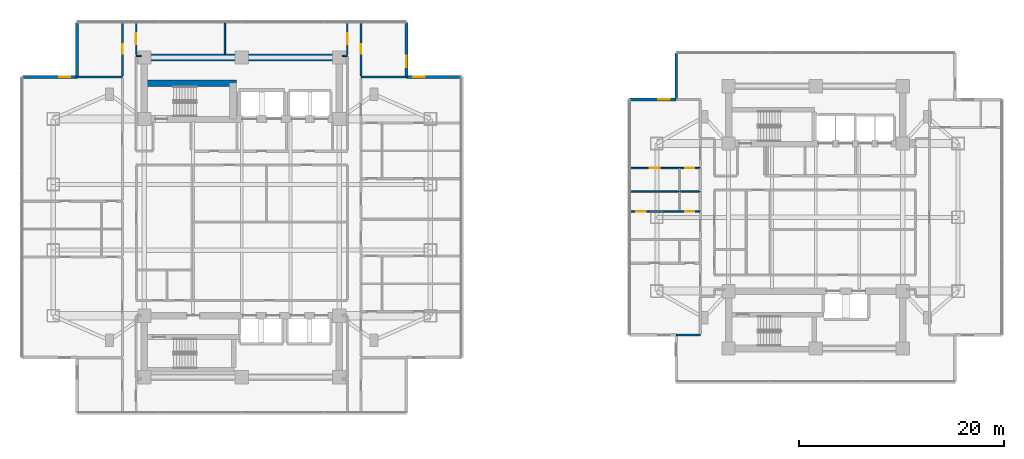
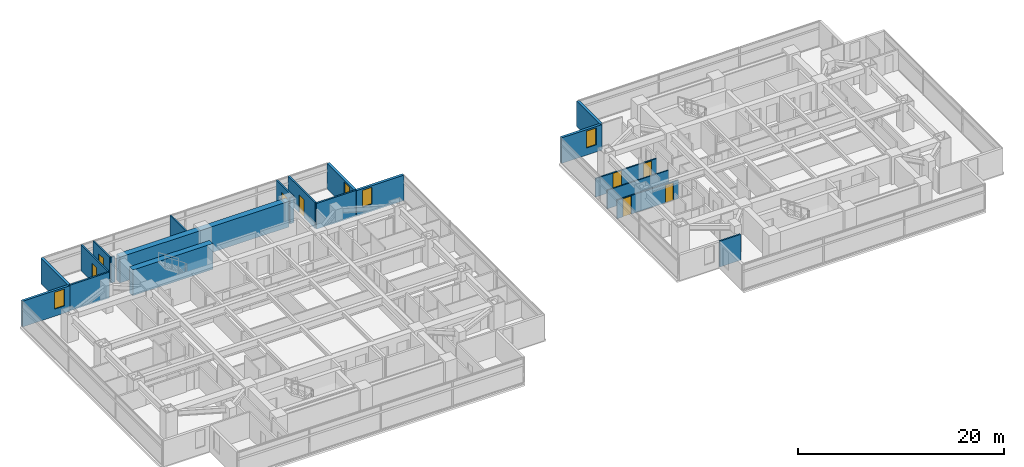
# One storey, part 15 of 24: 21 walls, 8 doors, 4 windows, 12 openings.
"""IFC4 building model written with IfcOpenShell, lengths in metres."""

from ifc_helpers import new_model, si_unit, direction, frame, frame_2d, origin, place, context, subcontext, project, spatial, rectangle, extrude, material, layer, layer_set, type_object, element, fill, save


model = new_model("IFC4")

# Units and contexts
model_context = context("Model", 3, precision=1e-05, world=origin(), true_north=direction((0.0, 1.0)))
body_context = subcontext(model_context, "Body", "Model", "MODEL_VIEW")
ifc_project = project(units=[si_unit("LENGTHUNIT", "METRE"), si_unit("AREAUNIT", "SQUARE_METRE"), si_unit("VOLUMEUNIT", "CUBIC_METRE"), si_unit("PLANEANGLEUNIT", "RADIAN"), si_unit("MASSUNIT", "GRAM", prefix="KILO")], contexts=[model_context])

# Site, building, storey
site_placement = place(None, origin())
site = spatial("IfcSite", under=ifc_project, at=site_placement, CompositionType="ELEMENT")
building_placement = place(site_placement, origin())
building = spatial("IfcBuilding", under=site, at=building_placement, Name="Mirazonda Arch Towers", CompositionType="ELEMENT")
storey_placement = place(building_placement, frame((0.0, 0.0, 62.0)))
storey = spatial("IfcBuildingStorey", under=building, at=storey_placement, Name="L17", CompositionType="ELEMENT", Elevation=62.0)

# Walls
ifc_material_1 = material(Name="Concrete C60/75", Category="concrete")
ifc_layer_1 = layer(ifc_material_1, 0.64990234375, Name="WALL-CORE-650")
ifc_layer_set_1 = layer_set([ifc_layer_1], Name="Concrete C60/75")
wall_type_1 = type_object("IfcWallType", Name="WALL-CORE-650", PredefinedType="SHEAR", material=ifc_layer_set_1)
wall_1_placement = place(storey_placement, frame((11.0, 43.60009765625, 0.0), z_axis=(0.0, 0.0, 1.0), x_axis=(1.0, 0.0, 0.0)))
element("IfcWall", 1, at=wall_1_placement, inside=storey, type_object=wall_type_1, Name="L17 T1N-N Core Shear Wall", PredefinedType="SHEAR", context=body_context, shape_type="SweptSolid", body=[
    extrude(rectangle(XDim=19.0, YDim=0.64990234375, at=frame_2d((9.5, 0.0))), origin(), (0.0, 0.0, 1.0), 3.06005859375),
])
wall_2_placement = place(storey_placement, frame((11.0, 41.093017578125, 0.0), z_axis=(0.0, 0.0, 1.0), x_axis=(1.0, 0.0, 0.0)))
element("IfcWall", 2, at=wall_2_placement, inside=storey, type_object=wall_type_1, Name="L17 T1N-STN Core Shear Wall", PredefinedType="SHEAR", context=body_context, shape_type="SweptSolid", body=[
    extrude(rectangle(XDim=9.0, YDim=0.64990234375, at=frame_2d((4.5, 0.0))), origin(), (0.0, 0.0, 1.0), 3.06005859375),
])

# Wall, opening, window
ifc_material_2 = material(Name="Precast Concrete C40/50", Category="concrete")
ifc_layer_2 = layer(ifc_material_2, 0.280029296875, Name="WALL-EXT-WALL-280")
ifc_layer_set_2 = layer_set([ifc_layer_2], Name="Precast Concrete C40/50")
wall_type_2 = type_object("IfcWallType", Name="WALL-EXT-WALL-280", PredefinedType="SOLIDWALL", material=ifc_layer_set_2)
wall_3_placement = place(storey_placement, frame((36.580078125, 41.694091796875, 0.0), z_axis=(0.0, 0.0, 1.0), x_axis=(0.0, 1.0, 0.0)))
wall_3 = element("IfcWall", 3, at=wall_3_placement, inside=storey, type_object=wall_type_2, Name="L17 T1 Notched NE Corner Wall WL-L17-T1-CNE", PredefinedType="SOLIDWALL", context=body_context, shape_type="SweptSolid", body=[
    extrude(rectangle(XDim=5.33984375, YDim=0.280029296875, at=frame_2d((2.669921875, 0.0))), origin(), (0.0, 0.0, 1.0), 3.0400390625),
])
opening_1_placement = place(wall_3_placement, frame((0.949951171875, 0.0, 0.85009765625)))
opening_1 = element("IfcOpeningElement", 4, at=opening_1_placement, cuts=wall_3, Name="Opening WN-108", PredefinedType="OPENING", context=body_context, shape_type="SweptSolid", body=[
    extrude(rectangle(XDim=1.10009765625, YDim=2.0, at=frame_2d((0.550048828125, 1.0))), frame((0.0, 0.14990234375, 0.0), z_axis=(0.0, -1.0, 0.0), x_axis=(1.0, 0.0, 0.0)), (0.0, 0.0, 1.0), 0.300048828125),
])
ifc_material_3 = material(Name="Insulated Low-E Solar Glass", Category="glass")
window_type = type_object("IfcWindowType", Name="WIN-NOTCH-1100x2000", PartitioningType="SINGLE_PANEL", PredefinedType="WINDOW", material=ifc_material_3)
window_1_placement = place(opening_1_placement, origin())
window_1 = element("IfcWindow", 5, at=window_1_placement, inside=storey, type_object=window_type, Name="L17 Punched Facade Window WN-L17-T1-CNE", OverallHeight=2.0, OverallWidth=1.10009765625, PartitioningType="SINGLE_PANEL", PredefinedType="WINDOW", context=body_context, shape_type="SweptSolid", body=[
    extrude(rectangle(XDim=1.10009765625, YDim=2.0, at=frame_2d((0.550048828125, 1.0))), frame((0.0, 0.030029296875, 0.0), z_axis=(0.0, -1.0, 0.0), x_axis=(1.0, 0.0, 0.0)), (0.0, 0.0, 1.0), 0.06005859375),
])
fill(opening_1, window_1)

wall_4_placement = place(storey_placement, frame((4.419921875, 41.694091796875, 0.0), z_axis=(0.0, 0.0, 1.0), x_axis=(-1.0, 0.0, 0.0)))
wall_4 = element("IfcWall", 6, at=wall_4_placement, inside=storey, type_object=wall_type_2, Name="L17 T1 Corner Notch Return Wall WL-L17-T1-CNW1", PredefinedType="SOLIDWALL", context=body_context, shape_type="SweptSolid", body=[
    extrude(rectangle(XDim=5.33984375, YDim=0.280029296875, at=frame_2d((2.669921875, 0.0))), origin(), (0.0, 0.0, 1.0), 3.0400390625),
])
opening_2_placement = place(wall_4_placement, frame((0.64990234375, 0.0, 0.85009765625)))
opening_2 = element("IfcOpeningElement", 7, at=opening_2_placement, cuts=wall_4, Name="Opening WN-108", PredefinedType="OPENING", context=body_context, shape_type="SweptSolid", body=[
    extrude(rectangle(XDim=1.10009765625, YDim=2.0, at=frame_2d((0.550048828125, 1.0))), frame((0.0, 0.14990234375, 0.0), z_axis=(0.0, -1.0, 0.0), x_axis=(1.0, 0.0, 0.0)), (0.0, 0.0, 1.0), 0.300048828125),
])
window_2_placement = place(opening_2_placement, origin())
window_2 = element("IfcWindow", 8, at=window_2_placement, inside=storey, type_object=window_type, Name="L17 Punched Facade Window WN-L17-T1-CNW1", OverallHeight=2.0, OverallWidth=1.10009765625, PartitioningType="SINGLE_PANEL", PredefinedType="WINDOW", context=body_context, shape_type="SweptSolid", body=[
    extrude(rectangle(XDim=1.10009765625, YDim=2.0, at=frame_2d((0.550048828125, 1.0))), frame((0.0, 0.030029296875, 0.0), z_axis=(0.0, -1.0, 0.0), x_axis=(1.0, 0.0, 0.0)), (0.0, 0.0, 1.0), 0.06005859375),
])
fill(opening_2, window_2)

# Wall
wall_5_placement = place(storey_placement, frame((4.419921875, 47.033935546875, 0.0), z_axis=(0.0, 0.0, 1.0), x_axis=(0.0, -1.0, 0.0)))
element("IfcWall", 9, at=wall_5_placement, inside=storey, type_object=wall_type_2, Name="L17 T1 Corner Notch Return Wall WL-L17-T1-CNW2", PredefinedType="SOLIDWALL", context=body_context, shape_type="SweptSolid", body=[
    extrude(rectangle(XDim=5.33984375, YDim=0.280029296875, at=frame_2d((2.669921875, 0.0))), origin(), (0.0, 0.0, 1.0), 3.0400390625),
])

# Wall, opening, window
wall_6_placement = place(storey_placement, frame((41.919921875, 41.694091796875, 0.0), z_axis=(0.0, 0.0, 1.0), x_axis=(-1.0, 0.0, 0.0)))
wall_6 = element("IfcWall", 10, at=wall_6_placement, inside=storey, type_object=wall_type_2, Name="L17 T1 Corner Notch Return Wall WL-L17-T1-CNE2", PredefinedType="SOLIDWALL", context=body_context, shape_type="SweptSolid", body=[
    extrude(rectangle(XDim=5.33984375, YDim=0.280029296875, at=frame_2d((2.669921875, 0.0))), origin(), (0.0, 0.0, 1.0), 3.0400390625),
])
opening_3_placement = place(wall_6_placement, frame((3.590087890625, 0.0, 0.85009765625)))
opening_3 = element("IfcOpeningElement", 11, at=opening_3_placement, cuts=wall_6, Name="Opening WN-108", PredefinedType="OPENING", context=body_context, shape_type="SweptSolid", body=[
    extrude(rectangle(XDim=1.10009765625, YDim=2.0, at=frame_2d((0.550048828125, 1.0))), frame((0.0, 0.14990234375, 0.0), z_axis=(0.0, -1.0, 0.0), x_axis=(1.0, 0.0, 0.0)), (0.0, 0.0, 1.0), 0.300048828125),
])
window_3_placement = place(opening_3_placement, origin())
window_3 = element("IfcWindow", 12, at=window_3_placement, inside=storey, type_object=window_type, Name="L17 Punched Facade Window WN-L17-T1-CNE2", OverallHeight=2.0, OverallWidth=1.10009765625, PartitioningType="SINGLE_PANEL", PredefinedType="WINDOW", context=body_context, shape_type="SweptSolid", body=[
    extrude(rectangle(XDim=1.10009765625, YDim=2.0, at=frame_2d((0.550048828125, 1.0))), frame((0.0, 0.030029296875, 0.0), z_axis=(0.0, -1.0, 0.0), x_axis=(1.0, 0.0, 0.0)), (0.0, 0.0, 1.0), 0.06005859375),
])
fill(opening_3, window_3)

wall_7_placement = place(storey_placement, frame((62.89208984375, 39.47998046875, 0.0), z_axis=(0.0, 0.0, 1.0), x_axis=(-1.0, 0.0, 0.0)))
wall_7 = element("IfcWall", 13, at=wall_7_placement, inside=storey, type_object=wall_type_2, Name="L17 T2 Corner Notch Return Wall WL-L17-T2-CNW1", PredefinedType="SOLIDWALL", context=body_context, shape_type="SweptSolid", body=[
    extrude(rectangle(XDim=4.546142578125, YDim=0.280029296875, at=frame_2d((2.27294921875, 0.0))), origin(), (0.0, 0.0, 1.0), 3.0400390625),
])
opening_4_placement = place(wall_7_placement, frame((0.64990234375, 0.0, 0.85009765625)))
opening_4 = element("IfcOpeningElement", 14, at=opening_4_placement, cuts=wall_7, Name="Opening WN-108", PredefinedType="OPENING", context=body_context, shape_type="SweptSolid", body=[
    extrude(rectangle(XDim=1.10009765625, YDim=2.0, at=frame_2d((0.550048828125, 1.0))), frame((0.0, 0.14990234375, 0.0), z_axis=(0.0, -1.0, 0.0), x_axis=(1.0, 0.0, 0.0)), (0.0, 0.0, 1.0), 0.300048828125),
])
window_4_placement = place(opening_4_placement, origin())
window_4 = element("IfcWindow", 15, at=window_4_placement, inside=storey, type_object=window_type, Name="L17 Punched Facade Window WN-L17-T2-CNW1", OverallHeight=2.0, OverallWidth=1.10009765625, PartitioningType="SINGLE_PANEL", PredefinedType="WINDOW", context=body_context, shape_type="SweptSolid", body=[
    extrude(rectangle(XDim=1.10009765625, YDim=2.0, at=frame_2d((0.550048828125, 1.0))), frame((0.0, 0.030029296875, 0.0), z_axis=(0.0, -1.0, 0.0), x_axis=(1.0, 0.0, 0.0)), (0.0, 0.0, 1.0), 0.06005859375),
])
fill(opening_4, window_4)

# Wall
wall_8_placement = place(storey_placement, frame((62.89208984375, 44.02587890625, 0.0), z_axis=(0.0, 0.0, 1.0), x_axis=(0.0, -1.0, 0.0)))
element("IfcWall", 16, at=wall_8_placement, inside=storey, type_object=wall_type_2, Name="L17 T2 Corner Notch Return Wall WL-L17-T2-CNW2", PredefinedType="SOLIDWALL", context=body_context, shape_type="SweptSolid", body=[
    extrude(rectangle(XDim=4.5458984375, YDim=0.280029296875, at=frame_2d((2.27294921875, 0.0))), origin(), (0.0, 0.0, 1.0), 3.0400390625),
])

# Wall, openings, doors
ifc_material_4 = material(Name="Fire-Rated Gypsum Stud Partition")
ifc_layer_3 = layer(ifc_material_4, 0.14990234375, Name="WALL-PART-CORR-150")
ifc_layer_set_3 = layer_set([ifc_layer_3], Name="Fire-Rated Gypsum Stud Partition")
wall_type_3 = type_object("IfcWallType", Name="WALL-PART-CORR-150", PredefinedType="PARTITIONING", material=ifc_layer_set_3)
wall_9_placement = place(storey_placement, frame((58.345947265625, 28.587890625, 0.0), z_axis=(0.0, 0.0, 1.0), x_axis=(1.0, 0.0, 0.0)))
wall_9 = element("IfcWall", 17, at=wall_9_placement, inside=storey, type_object=wall_type_3, Name="L17 Interior Partition 033", PredefinedType="PARTITIONING", context=body_context, shape_type="SweptSolid", body=[
    extrude(rectangle(XDim=6.904052734375, YDim=0.14990234375, at=frame_2d((3.4521484375, 0.0))), origin(), (0.0, 0.0, 1.0), 2.196044921875),
])
opening_5_placement = place(wall_9_placement, frame((0.626953125, 0.0, 0.0)))
opening_5 = element("IfcOpeningElement", 18, at=opening_5_placement, cuts=wall_9, Name="Opening DR-104", PredefinedType="OPENING", context=body_context, shape_type="SweptSolid", body=[
    extrude(rectangle(XDim=0.949951171875, YDim=2.14990234375, at=frame_2d((0.47509765625, 1.074951171875))), frame((0.0, 0.0849609375, 0.0), z_axis=(0.0, -1.0, 0.0), x_axis=(1.0, 0.0, 0.0)), (0.0, 0.0, 1.0), 0.169921875),
])
opening_6_placement = place(wall_9_placement, frame((5.4140625, 0.0, 0.0)))
opening_6 = element("IfcOpeningElement", 19, at=opening_6_placement, cuts=wall_9, Name="Opening DR-120", PredefinedType="OPENING", context=body_context, shape_type="SweptSolid", body=[
    extrude(rectangle(XDim=0.89990234375, YDim=2.10009765625, at=frame_2d((0.449951171875, 1.050048828125))), frame((0.0, 0.0849609375, 0.0), z_axis=(0.0, -1.0, 0.0), x_axis=(1.0, 0.0, 0.0)), (0.0, 0.0, 1.0), 0.169921875),
])
ifc_material_5 = material(Name="Architectural Brushed Steel S355", Category="steel")
door_type_1 = type_object("IfcDoorType", Name="DOOR-ROOM-950", OperationType="NOTDEFINED", PredefinedType="DOOR", material=ifc_material_5)
door_1_placement = place(opening_5_placement, origin())
door_1 = element("IfcDoor", 20, at=door_1_placement, inside=storey, type_object=door_type_1, Name="L17 Guestroom Study 2 Door", OperationType="SINGLE_SWING_RIGHT", OverallHeight=2.14990234375, OverallWidth=0.949951171875, PredefinedType="DOOR", context=body_context, shape_type="SweptSolid", body=[
    extrude(rectangle(XDim=0.949951171875, YDim=2.14990234375, at=frame_2d((0.47509765625, 1.074951171875))), frame((0.0, 0.02490234375, 0.0), z_axis=(0.0, -1.0, 0.0), x_axis=(1.0, 0.0, 0.0)), (0.0, 0.0, 1.0), 0.050048828125),
])
fill(opening_5, door_1)
door_type_2 = type_object("IfcDoorType", Name="DOOR-WC-900", OperationType="NOTDEFINED", PredefinedType="DOOR", material=ifc_material_5)
door_2_placement = place(opening_6_placement, origin())
door_2 = element("IfcDoor", 21, at=door_2_placement, inside=storey, type_object=door_type_2, Name="L17 En-Suite Bathroom 2 Door", OperationType="SINGLE_SWING_LEFT", OverallHeight=2.10009765625, OverallWidth=0.89990234375, PredefinedType="DOOR", context=body_context, shape_type="SweptSolid", body=[
    extrude(rectangle(XDim=0.89990234375, YDim=2.10009765625, at=frame_2d((0.449951171875, 1.050048828125))), frame((0.0, 0.02490234375, 0.0), z_axis=(0.0, -1.0, 0.0), x_axis=(1.0, 0.0, 0.0)), (0.0, 0.0, 1.0), 0.050048828125),
])
fill(opening_6, door_2)

wall_10_placement = place(storey_placement, frame((58.345947265625, 32.80810546875, 0.0), z_axis=(0.0, 0.0, 1.0), x_axis=(1.0, 0.0, 0.0)))
wall_10 = element("IfcWall", 22, at=wall_10_placement, inside=storey, type_object=wall_type_3, Name="L17 Interior Partition 040", PredefinedType="PARTITIONING", context=body_context, shape_type="SweptSolid", body=[
    extrude(rectangle(XDim=6.904052734375, YDim=0.14990234375, at=frame_2d((3.4521484375, 0.0))), origin(), (0.0, 0.0, 1.0), 2.196044921875),
])
opening_7_placement = place(wall_10_placement, frame((1.97705078125, 0.0, 0.0)))
opening_7 = element("IfcOpeningElement", 23, at=opening_7_placement, cuts=wall_10, Name="Opening DR-104", PredefinedType="OPENING", context=body_context, shape_type="SweptSolid", body=[
    extrude(rectangle(XDim=0.949951171875, YDim=2.14990234375, at=frame_2d((0.47509765625, 1.074951171875))), frame((0.0, 0.0849609375, 0.0), z_axis=(0.0, -1.0, 0.0), x_axis=(1.0, 0.0, 0.0)), (0.0, 0.0, 1.0), 0.169921875),
])
opening_8_placement = place(wall_10_placement, frame((5.4140625, 0.0, 0.0)))
opening_8 = element("IfcOpeningElement", 24, at=opening_8_placement, cuts=wall_10, Name="Opening DR-120", PredefinedType="OPENING", context=body_context, shape_type="SweptSolid", body=[
    extrude(rectangle(XDim=0.89990234375, YDim=2.10009765625, at=frame_2d((0.449951171875, 1.050048828125))), frame((0.0, 0.0849609375, 0.0), z_axis=(0.0, -1.0, 0.0), x_axis=(1.0, 0.0, 0.0)), (0.0, 0.0, 1.0), 0.169921875),
])
door_3_placement = place(opening_7_placement, origin())
door_3 = element("IfcDoor", 25, at=door_3_placement, inside=storey, type_object=door_type_1, Name="L17 Guestroom Study 3 Door", OperationType="SINGLE_SWING_LEFT", OverallHeight=2.14990234375, OverallWidth=0.949951171875, PredefinedType="DOOR", context=body_context, shape_type="SweptSolid", body=[
    extrude(rectangle(XDim=0.949951171875, YDim=2.14990234375, at=frame_2d((0.47509765625, 1.074951171875))), frame((0.0, 0.02490234375, 0.0), z_axis=(0.0, -1.0, 0.0), x_axis=(1.0, 0.0, 0.0)), (0.0, 0.0, 1.0), 0.050048828125),
])
fill(opening_7, door_3)
door_4_placement = place(opening_8_placement, origin())
door_4 = element("IfcDoor", 26, at=door_4_placement, inside=storey, type_object=door_type_2, Name="L17 En-Suite Bathroom 3 Door", OperationType="SINGLE_SWING_RIGHT", OverallHeight=2.10009765625, OverallWidth=0.89990234375, PredefinedType="DOOR", context=body_context, shape_type="SweptSolid", body=[
    extrude(rectangle(XDim=0.89990234375, YDim=2.10009765625, at=frame_2d((0.449951171875, 1.050048828125))), frame((0.0, 0.02490234375, 0.0), z_axis=(0.0, -1.0, 0.0), x_axis=(1.0, 0.0, 0.0)), (0.0, 0.0, 1.0), 0.050048828125),
])
fill(opening_8, door_4)

# Walls
for number, where, z_axis, x_axis, name in (
    (27, (10.199951171875, 43.75, 0.0), (0.0, 0.0, 1.0), (1.0, 0.0, 0.0), "L17 Interior Partition 059"),
    (28, (30.320068359375, 43.75, 0.0), (0.0, 0.0, 1.0), (1.0, 0.0, 0.0), "L17 Interior Partition 060"),
):
    element("IfcWall", number, at=place(storey_placement, frame(where, z_axis=z_axis, x_axis=x_axis)), inside=storey, type_object=wall_type_3, Name=name, PredefinedType="PARTITIONING", context=body_context, shape_type="SweptSolid", body=[
        extrude(rectangle(XDim=0.47998046875, YDim=0.14990234375, at=frame_2d((0.239990234375, 0.0))), origin(), (0.0, 0.0, 1.0), 3.06005859375),
    ])

# Wall, opening, door
wall_11_placement = place(storey_placement, frame((10.199951171875, 43.8349609375, 0.0), z_axis=(0.0, 0.0, 1.0), x_axis=(0.0, 1.0, 0.0)))
wall_11 = element("IfcWall", 29, at=wall_11_placement, inside=storey, type_object=wall_type_3, Name="L17 Interior Partition 074", PredefinedType="PARTITIONING", context=body_context, shape_type="SweptSolid", body=[
    extrude(rectangle(XDim=3.198974609375, YDim=0.14990234375, at=frame_2d((1.599609375, 0.0))), origin(), (0.0, 0.0, 1.0), 3.06005859375),
])
opening_9_placement = place(wall_11_placement, frame((1.074462890625, 0.0, 0.0)))
opening_9 = element("IfcOpeningElement", 30, at=opening_9_placement, cuts=wall_11, Name="Opening DR-121", PredefinedType="OPENING", context=body_context, shape_type="SweptSolid", body=[
    extrude(rectangle(XDim=1.050048828125, YDim=2.199951171875, at=frame_2d((0.52490234375, 1.10009765625))), frame((0.0, 0.0849609375, 0.0), z_axis=(0.0, -1.0, 0.0), x_axis=(1.0, 0.0, 0.0)), (0.0, 0.0, 1.0), 0.169921875),
])
door_type_3 = type_object("IfcDoorType", Name="DOOR-SUITE-FD60-1050", OperationType="NOTDEFINED", PredefinedType="DOOR", material=ifc_material_5)
door_5_placement = place(opening_9_placement, origin())
door_5 = element("IfcDoor", 31, at=door_5_placement, inside=storey, type_object=door_type_3, Name="L17 North Reading Salon West Door", OperationType="SINGLE_SWING_RIGHT", OverallHeight=2.199951171875, OverallWidth=1.050048828125, PredefinedType="DOOR", context=body_context, shape_type="SweptSolid", body=[
    extrude(rectangle(XDim=1.050048828125, YDim=2.199951171875, at=frame_2d((0.52490234375, 1.10009765625))), frame((0.0, 0.02490234375, 0.0), z_axis=(0.0, -1.0, 0.0), x_axis=(1.0, 0.0, 0.0)), (0.0, 0.0, 1.0), 0.050048828125),
])
fill(opening_9, door_5)

# Wall
wall_12_placement = place(storey_placement, frame((18.85205078125, 43.919921875, 0.0), z_axis=(0.0, 0.0, 1.0), x_axis=(0.0, 1.0, 0.0)))
element("IfcWall", 32, at=wall_12_placement, inside=storey, type_object=wall_type_3, Name="L17 Interior Partition 081", PredefinedType="PARTITIONING", context=body_context, shape_type="SweptSolid", body=[
    extrude(rectangle(XDim=3.114013671875, YDim=0.14990234375, at=frame_2d((1.55712890625, 0.0))), origin(), (0.0, 0.0, 1.0), 3.06005859375),
])

# Wall, opening, door
wall_13_placement = place(storey_placement, frame((30.800048828125, 43.8349609375, 0.0), z_axis=(0.0, 0.0, 1.0), x_axis=(0.0, 1.0, 0.0)))
wall_13 = element("IfcWall", 33, at=wall_13_placement, inside=storey, type_object=wall_type_3, Name="L17 Interior Partition 101", PredefinedType="PARTITIONING", context=body_context, shape_type="SweptSolid", body=[
    extrude(rectangle(XDim=3.198974609375, YDim=0.14990234375, at=frame_2d((1.599609375, 0.0))), origin(), (0.0, 0.0, 1.0), 3.06005859375),
])
opening_10_placement = place(wall_13_placement, frame((1.074462890625, 0.0, 0.0)))
opening_10 = element("IfcOpeningElement", 34, at=opening_10_placement, cuts=wall_13, Name="Opening DR-121", PredefinedType="OPENING", context=body_context, shape_type="SweptSolid", body=[
    extrude(rectangle(XDim=1.050048828125, YDim=2.199951171875, at=frame_2d((0.52490234375, 1.10009765625))), frame((0.0, 0.0849609375, 0.0), z_axis=(0.0, -1.0, 0.0), x_axis=(1.0, 0.0, 0.0)), (0.0, 0.0, 1.0), 0.169921875),
])
door_6_placement = place(opening_10_placement, origin())
door_6 = element("IfcDoor", 35, at=door_6_placement, inside=storey, type_object=door_type_3, Name="L17 North Reading Salon East Door", OperationType="SINGLE_SWING_LEFT", OverallHeight=2.199951171875, OverallWidth=1.050048828125, PredefinedType="DOOR", context=body_context, shape_type="SweptSolid", body=[
    extrude(rectangle(XDim=1.050048828125, YDim=2.199951171875, at=frame_2d((0.52490234375, 1.10009765625))), frame((0.0, 0.02490234375, 0.0), z_axis=(0.0, -1.0, 0.0), x_axis=(1.0, 0.0, 0.0)), (0.0, 0.0, 1.0), 0.050048828125),
])
fill(opening_10, door_6)

# Walls
ifc_material_6 = material(Name="Fire-Rated Gypsum Twin-Stud Assembly")
ifc_layer_4 = layer(ifc_material_6, 0.179931640625, Name="WALL-PART-DEMISE-180")
ifc_layer_set_4 = layer_set([ifc_layer_4], Name="Fire-Rated Gypsum Twin-Stud Assembly")
wall_type_4 = type_object("IfcWallType", Name="WALL-PART-DEMISE-180", PredefinedType="PARTITIONING", material=ifc_layer_set_4)
wall_14_placement = place(storey_placement, frame((62.912109375, 16.52001953125, 0.0), z_axis=(0.0, 0.0, 1.0), x_axis=(1.0, 0.0, 0.0)))
element("IfcWall", 36, at=wall_14_placement, inside=storey, type_object=wall_type_4, Name="L17 Interior Partition 009", PredefinedType="PARTITIONING", context=body_context, shape_type="SweptSolid", body=[
    extrude(rectangle(XDim=2.337890625, YDim=0.179931640625, at=frame_2d((1.1689453125, 0.0))), origin(), (0.0, 0.0, 1.0), 3.06005859375),
])
for number, where, z_axis, x_axis, name in (
    (37, (4.43994140625, 41.694091796875, 0.0), (0.0, 0.0, 1.0), (1.0, 0.0, 0.0), "L17 Interior Partition 057"),
    (38, (32.139892578125, 41.694091796875, 0.0), (0.0, 0.0, 1.0), (1.0, 0.0, 0.0), "L17 Interior Partition 058"),
):
    element("IfcWall", number, at=place(storey_placement, frame(where, z_axis=z_axis, x_axis=x_axis)), inside=storey, type_object=wall_type_4, Name=name, PredefinedType="PARTITIONING", context=body_context, shape_type="SweptSolid", body=[
        extrude(rectangle(XDim=4.420166015625, YDim=0.179931640625, at=frame_2d((2.2099609375, 0.0))), origin(), (0.0, 0.0, 1.0), 3.06005859375),
    ])

# Wall, opening, door
wall_15_placement = place(storey_placement, frame((8.860107421875, 41.7939453125, 0.0), z_axis=(0.0, 0.0, 1.0), x_axis=(0.0, 1.0, 0.0)))
wall_15 = element("IfcWall", 39, at=wall_15_placement, inside=storey, type_object=wall_type_4, Name="L17 Interior Partition 068", PredefinedType="PARTITIONING", context=body_context, shape_type="SweptSolid", body=[
    extrude(rectangle(XDim=5.239990234375, YDim=0.179931640625, at=frame_2d((2.6201171875, 0.0))), origin(), (0.0, 0.0, 1.0), 3.06005859375),
])
opening_11_placement = place(wall_15_placement, frame((2.14501953125, 0.0, 0.0)))
opening_11 = element("IfcOpeningElement", 40, at=opening_11_placement, cuts=wall_15, Name="Opening DR-104", PredefinedType="OPENING", context=body_context, shape_type="SweptSolid", body=[
    extrude(rectangle(XDim=0.949951171875, YDim=2.14990234375, at=frame_2d((0.47509765625, 1.074951171875))), frame((0.0, 0.099853515625, 0.0), z_axis=(0.0, -1.0, 0.0), x_axis=(1.0, 0.0, 0.0)), (0.0, 0.0, 1.0), 0.199951171875),
])
door_7_placement = place(opening_11_placement, origin())
door_7 = element("IfcDoor", 41, at=door_7_placement, inside=storey, type_object=door_type_1, Name="L17 North Reading Salon Alcove West Door", OperationType="SINGLE_SWING_RIGHT", OverallHeight=2.14990234375, OverallWidth=0.949951171875, PredefinedType="DOOR", context=body_context, shape_type="SweptSolid", body=[
    extrude(rectangle(XDim=0.949951171875, YDim=2.14990234375, at=frame_2d((0.47509765625, 1.074951171875))), frame((0.0, 0.02490234375, 0.0), z_axis=(0.0, -1.0, 0.0), x_axis=(1.0, 0.0, 0.0)), (0.0, 0.0, 1.0), 0.050048828125),
])
fill(opening_11, door_7)

wall_16_placement = place(storey_placement, frame((32.139892578125, 41.7939453125, 0.0), z_axis=(0.0, 0.0, 1.0), x_axis=(0.0, 1.0, 0.0)))
wall_16 = element("IfcWall", 42, at=wall_16_placement, inside=storey, type_object=wall_type_4, Name="L17 Interior Partition 111", PredefinedType="PARTITIONING", context=body_context, shape_type="SweptSolid", body=[
    extrude(rectangle(XDim=5.239990234375, YDim=0.179931640625, at=frame_2d((2.6201171875, 0.0))), origin(), (0.0, 0.0, 1.0), 3.06005859375),
])
opening_12_placement = place(wall_16_placement, frame((2.14501953125, 0.0, 0.0)))
opening_12 = element("IfcOpeningElement", 43, at=opening_12_placement, cuts=wall_16, Name="Opening DR-104", PredefinedType="OPENING", context=body_context, shape_type="SweptSolid", body=[
    extrude(rectangle(XDim=0.949951171875, YDim=2.14990234375, at=frame_2d((0.47509765625, 1.074951171875))), frame((0.0, 0.099853515625, 0.0), z_axis=(0.0, -1.0, 0.0), x_axis=(1.0, 0.0, 0.0)), (0.0, 0.0, 1.0), 0.199951171875),
])
door_8_placement = place(opening_12_placement, origin())
door_8 = element("IfcDoor", 44, at=door_8_placement, inside=storey, type_object=door_type_1, Name="L17 North Reading Salon Alcove East Door", OperationType="SINGLE_SWING_LEFT", OverallHeight=2.14990234375, OverallWidth=0.949951171875, PredefinedType="DOOR", context=body_context, shape_type="SweptSolid", body=[
    extrude(rectangle(XDim=0.949951171875, YDim=2.14990234375, at=frame_2d((0.47509765625, 1.074951171875))), frame((0.0, 0.02490234375, 0.0), z_axis=(0.0, -1.0, 0.0), x_axis=(1.0, 0.0, 0.0)), (0.0, 0.0, 1.0), 0.050048828125),
])
fill(opening_12, door_8)

# Wall
ifc_material_7 = material(Name="Acoustic Fire-Rated Gypsum Partition")
ifc_layer_5 = layer(ifc_material_7, 0.125, Name="WALL-PART-UNIT-125")
ifc_layer_set_5 = layer_set([ifc_layer_5], Name="Acoustic Fire-Rated Gypsum Partition")
wall_type_5 = type_object("IfcWallType", Name="WALL-PART-UNIT-125", PredefinedType="PARTITIONING", material=ifc_layer_set_5)
wall_17_placement = place(storey_placement, frame((58.345947265625, 30.508056640625, 0.0), z_axis=(0.0, 0.0, 1.0), x_axis=(1.0, 0.0, 0.0)))
element("IfcWall", 45, at=wall_17_placement, inside=storey, type_object=wall_type_5, Name="L17 Interior Partition 035", PredefinedType="PARTITIONING", context=body_context, shape_type="SweptSolid", body=[
    extrude(rectangle(XDim=6.904052734375, YDim=0.125, at=frame_2d((3.4521484375, 0.0))), origin(), (0.0, 0.0, 1.0), 2.196044921875),
])

save(model, "model.ifc")
